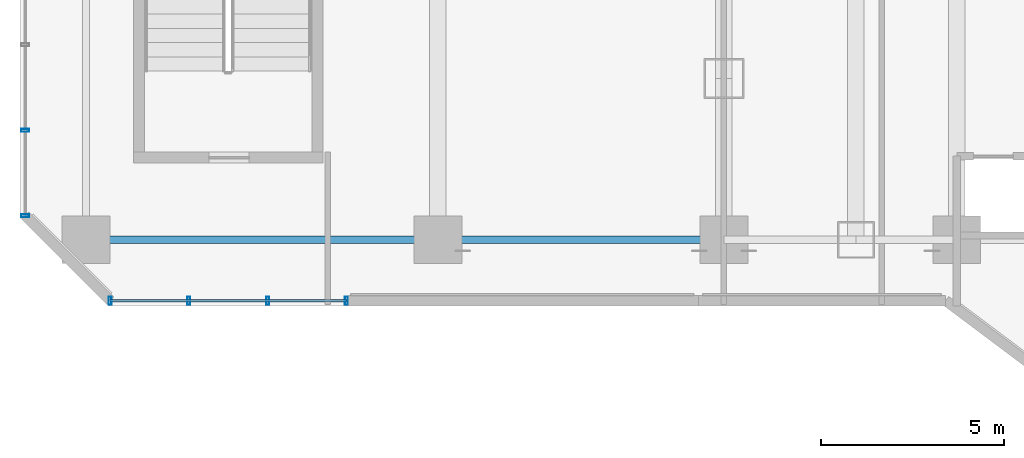
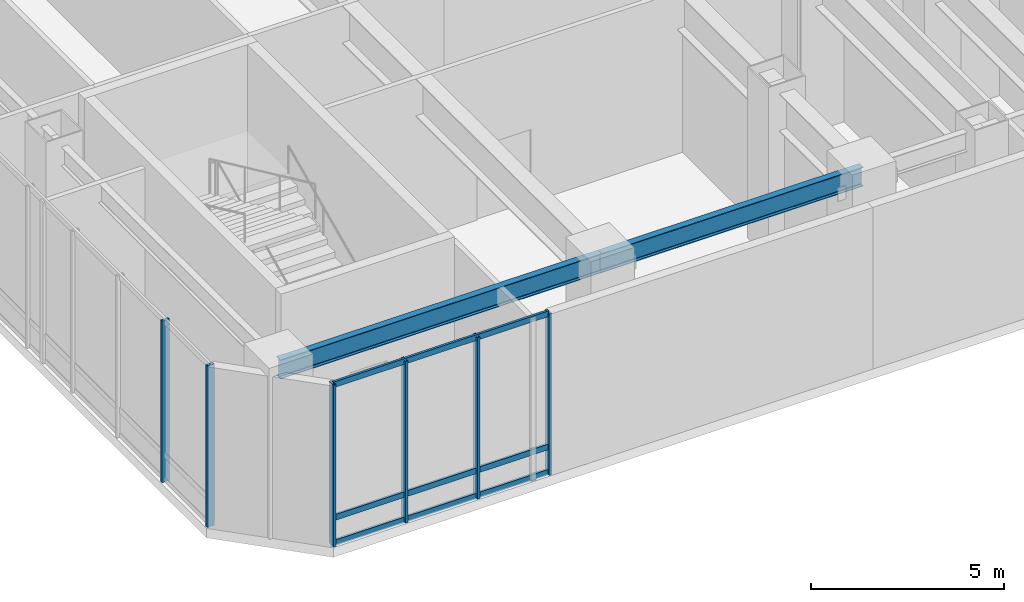
# One storey, part 2 of 35: 9 members, 2 beams, 2 elements without a shape of their own.
"""IFC4 building model written with IfcOpenShell, lengths in metres."""

import ifcopenshell
import ifcopenshell.guid

model = None  # the IFC model being written
_history = None  # IfcOwnerHistory: only IFC2X3 demands one
_inside = {}  # id of a spatial element -> (the spatial element, [elements in it])
_under = {}  # id of a project, library or spatial element -> (it, [spatial elements below it])
_declared = {}  # id of a project -> (the project, [libraries it declares])
_typed = {}  # id of a type object -> (the type object, [elements of that type])
_made_of = {}  # id of a material, layer set ... -> (it, [elements and type objects made of it])


def new_model(schema):
    """Start an empty IFC model of exactly this schema.

    Asked for "IFC4X3", IfcOpenShell would pick the latest addendum, in which some entities
    have other attributes; the version numbers below select the first issue.
    IFC2X3 requires an IfcOwnerHistory on every rooted entity: one is made here for all.
    """
    global model, _history
    if schema == "IFC4X3":
        model = ifcopenshell.file(schema_version=(4, 3, 0, 0))
    else:
        model = ifcopenshell.file(schema=schema)
    _inside.clear()
    _under.clear()
    _declared.clear()
    _typed.clear()
    _made_of.clear()
    _history = None
    if model.schema == "IFC2X3":
        org = make("IfcOrganization", Name="unknown")
        user = make(
            "IfcPersonAndOrganization",
            ThePerson=make("IfcPerson", FamilyName="unknown"),
            TheOrganization=org,
        )
        app = make(
            "IfcApplication",
            ApplicationDeveloper=org,
            Version="unknown",
            ApplicationFullName="unknown",
            ApplicationIdentifier="unknown",
        )
        _history = make(
            "IfcOwnerHistory",
            OwningUser=user,
            OwningApplication=app,
            ChangeAction="ADDED",
            CreationDate=0,
        )
    return model


def make(cls, **values):
    """One entity of the class cls with the attributes given. An attribute that is None is left unset."""
    return model.create_entity(
        cls, **{name: value for name, value in values.items() if value is not None}
    )


def rooted(cls, **values):
    """An entity with a GlobalId (a new one), such as an element, a storey or a relation."""
    return make(cls, GlobalId=ifcopenshell.guid.new(), OwnerHistory=_history, **values)


def si_unit(unit_type, name, prefix=None):
    """IfcSIUnit, for example si_unit("LENGTHUNIT", "METRE", prefix="MILLI")."""
    return make("IfcSIUnit", UnitType=unit_type, Prefix=prefix, Name=name)


def assignment(units):
    """IfcUnitAssignment: the units of a project."""
    return None if units is None else make("IfcUnitAssignment", Units=units)


def point(xyz):
    """IfcCartesianPoint."""
    return None if xyz is None else make("IfcCartesianPoint", Coordinates=xyz)


def direction(xyz):
    """IfcDirection."""
    return None if xyz is None else make("IfcDirection", DirectionRatios=xyz)


def frame(location, z_axis=None, x_axis=None):
    """IfcAxis2Placement3D, a coordinate frame: its origin and axes. An axis left out is left unset."""
    return make(
        "IfcAxis2Placement3D",
        Location=point(location),
        Axis=direction(z_axis),
        RefDirection=direction(x_axis),
    )


def frame_2d(location, x_axis=None):
    """IfcAxis2Placement2D, a coordinate frame in the plane: its origin and x axis."""
    return make(
        "IfcAxis2Placement2D", Location=point(location), RefDirection=direction(x_axis)
    )


def origin():
    """The frame at (0, 0, 0) with its axes left unset."""
    return frame((0.0, 0.0, 0.0))


def origin_2d():
    """The frame at (0, 0) in the plane with its x axis left unset."""
    return frame_2d((0.0, 0.0))


def place(relative_to, where):
    """IfcLocalPlacement: puts the frame where relative to a parent placement (None: the world)."""
    return make(
        "IfcLocalPlacement", PlacementRelTo=relative_to, RelativePlacement=where
    )


def context(
    kind, dimensions, precision=None, world=None, true_north=None, identifier=None
):
    """IfcGeometricRepresentationContext, for example the 3D "Model" context."""
    return make(
        "IfcGeometricRepresentationContext",
        ContextIdentifier=identifier,
        ContextType=kind,
        CoordinateSpaceDimension=dimensions,
        Precision=precision,
        WorldCoordinateSystem=world,
        TrueNorth=true_north,
    )


def subcontext(parent, identifier, kind, view, scale=None):
    """IfcGeometricRepresentationSubContext, for example "Body" below "Model"."""
    return make(
        "IfcGeometricRepresentationSubContext",
        ContextIdentifier=identifier,
        ContextType=kind,
        ParentContext=parent,
        TargetScale=scale,
        TargetView=view,
    )


def project(units=None, contexts=None):
    """IfcProject with its units and contexts."""
    return rooted(
        "IfcProject",
        Name="project",
        RepresentationContexts=contexts,
        UnitsInContext=assignment(units),
    )


def spatial(cls, under=None, at=None, **own):
    """A site, building, storey or space (cls), placed at a placement, below another one or the project."""
    s = rooted(cls, ObjectPlacement=at, **own)
    if under is not None:
        _under.setdefault(under.id(), (under, []))[1].append(s)
    return s


def profile(cls, at=None, kind="AREA", **sizes):
    """A parametric profile (cls). Its sizes go by their IFC names, for example OverallWidth=200.0."""
    return make(cls, ProfileType=kind, Position=at, **sizes)


def hollow_rectangle(**sizes):
    """IfcRectangleHollowProfileDef."""
    return profile("IfcRectangleHollowProfileDef", **sizes)


def i_section(**sizes):
    """IfcIShapeProfileDef."""
    return profile("IfcIShapeProfileDef", **sizes)


def extrude(swept, where, along, depth):
    """IfcExtrudedAreaSolid: the profile swept, set in the frame where, extruded along a direction by depth."""
    return make(
        "IfcExtrudedAreaSolid",
        SweptArea=swept,
        Position=where,
        ExtrudedDirection=direction(along),
        Depth=depth,
    )


def shape(context_of_items, identifier, shape_type, items):
    """IfcShapeRepresentation: the items that make up one representation, for example the "Body"."""
    return make(
        "IfcShapeRepresentation",
        ContextOfItems=context_of_items,
        RepresentationIdentifier=identifier,
        RepresentationType=shape_type,
        Items=items,
    )


def material(Name=None, Category=None):
    """IfcMaterial."""
    return make("IfcMaterial", Name=Name, Category=Category)


def layer(
    of_material, thickness, ventilated=None, Name=None, Category=None, Priority=None
):
    """IfcMaterialLayer: one layer of a wall or slab, of a material (None: an air gap)."""
    return make(
        "IfcMaterialLayer",
        Material=of_material,
        LayerThickness=thickness,
        IsVentilated=ventilated,
        Name=Name,
        Category=Category,
        Priority=Priority,
    )


def layer_set(layers, Name=None):
    """IfcMaterialLayerSet."""
    return make("IfcMaterialLayerSet", MaterialLayers=layers, LayerSetName=Name)


def material_profile(
    of_material, cross_section, Name=None, Category=None, Priority=None
):
    """IfcMaterialProfile: a cross section and its material."""
    return make(
        "IfcMaterialProfile",
        Name=Name,
        Material=of_material,
        Profile=cross_section,
        Priority=Priority,
        Category=Category,
    )


def profile_set(profiles, Name=None, composite=None):
    """IfcMaterialProfileSet."""
    return make(
        "IfcMaterialProfileSet",
        Name=Name,
        MaterialProfiles=profiles,
        CompositeProfile=composite,
    )


def made_of(thing, what):
    """Note that an element or type object is made of a material, layer set ...; save() writes the relation."""
    if what is not None:
        _made_of.setdefault(what.id(), (what, []))[1].append(thing)
    return thing


def type_object(cls, material=None, **own):
    """A type object (cls), such as IfcWallType, which elements share."""
    return made_of(rooted(cls, **own), material)


def element(
    cls,
    number,
    at=None,
    inside=None,
    cuts=None,
    type_object=None,
    material=None,
    context=None,
    identifier="Body",
    shape_type=None,
    held_by="IfcProductDefinitionShape",
    body=None,
    shapes=None,
    **own,
):
    """One element of the class cls, such as IfcWall. Its Tag is "e" and its number.

    at: its placement. inside: the storey or other place that contains it. cuts: it is an
    opening in that element (IfcRelVoidsElement). A single representation is given by context,
    identifier, shape_type and body (its items); several are given by shapes. held_by: the class
    of the entity that holds the representations. save() writes the other relations.
    """
    e = rooted(cls, Tag="e%d" % number, ObjectPlacement=at, **own)
    if body is not None:
        shapes = [shape(context, identifier, shape_type, body)]
    if shapes is not None:
        e.Representation = make(held_by, Representations=shapes)
    if inside is not None:
        _inside.setdefault(inside.id(), (inside, []))[1].append(e)
    if cuts is not None:
        rooted(
            "IfcRelVoidsElement", RelatingBuildingElement=cuts, RelatedOpeningElement=e
        )
    if type_object is not None:
        _typed.setdefault(type_object.id(), (type_object, []))[1].append(e)
    return made_of(e, material)


def aggregate(whole, parts):
    """IfcRelAggregates: a whole, such as a stair, and the parts it consists of."""
    return rooted("IfcRelAggregates", RelatingObject=whole, RelatedObjects=parts)


def save(model, path):
    """Write the relations noted so far, then the file.

    IfcRelAggregates (storeys below a building ...), IfcRelContainedInSpatialStructure (elements
    in a storey), IfcRelDefinesByType, IfcRelAssociatesMaterial and IfcRelDeclares: one each for
    every whole, place, type object, material and project.
    """
    for whole, parts in _under.values():
        aggregate(whole, parts)
    for where, things in _inside.values():
        rooted(
            "IfcRelContainedInSpatialStructure",
            RelatedElements=things,
            RelatingStructure=where,
        )
    for kind, things in _typed.values():
        rooted("IfcRelDefinesByType", RelatedObjects=things, RelatingType=kind)
    for what, things in _made_of.values():
        rooted("IfcRelAssociatesMaterial", RelatedObjects=things, RelatingMaterial=what)
    for by, libraries in _declared.values():
        rooted("IfcRelDeclares", RelatingContext=by, RelatedDefinitions=libraries)
    model.write(path)


model = new_model("IFC4")

# Units and contexts
model_context = context("Model", 3, precision=1e-05, world=origin(), true_north=direction((0.0, 1.0)))
body_context = subcontext(model_context, "Body", "Model", "MODEL_VIEW")
ifc_project = project(units=[si_unit("LENGTHUNIT", "METRE"), si_unit("AREAUNIT", "SQUARE_METRE"), si_unit("VOLUMEUNIT", "CUBIC_METRE"), si_unit("PLANEANGLEUNIT", "RADIAN"), si_unit("MASSUNIT", "GRAM", prefix="KILO")], contexts=[model_context])

# Site, building, storey
site_placement = place(None, origin())
site = spatial("IfcSite", under=ifc_project, at=site_placement, CompositionType="ELEMENT")
building_placement = place(site_placement, origin())
building = spatial("IfcBuilding", under=site, at=building_placement, Name="Hatsunagi Terrace Concourse", CompositionType="ELEMENT")
storey_placement = place(building_placement, frame((0.0, 0.0, 16.199951171875)))
storey = spatial("IfcBuildingStorey", under=building, at=storey_placement, Name="L04", CompositionType="ELEMENT", Elevation=16.199951171875)

# Curtain wall, members
ifc_material_1 = material(Name="Anodised Aluminium Alloy 6063-T5", Category="aluminium")
ifc_layer = layer(ifc_material_1, 0.199951171875)
ifc_layer_set = layer_set([ifc_layer], Name="PodiumStorefront_CW01")
curtain_wall_type = type_object("IfcCurtainWallType", Name="PodiumStorefront_CW01", PredefinedType="NOTDEFINED", material=ifc_layer_set)
curtain_wall_1_placement = place(storey_placement, origin())
curtain_wall_1 = element("IfcCurtainWall", 1, at=curtain_wall_1_placement, inside=storey, type_object=curtain_wall_type, Name="Unitised Curtain Wall CW-01 CW-L04-08", PredefinedType="NOTDEFINED")
ifc_material_2 = material(Name="Anodised Aluminium Alloy 6063-T5", Category="aluminium")
ifc_material_profile_1 = material_profile(ifc_material_2, hollow_rectangle(XDim=0.080078125, YDim=0.219970703125, WallThickness=0.0048828125, at=origin_2d()), Name="ALU-MUL-220x80x5")
ifc_profile_set_1 = profile_set([ifc_material_profile_1], Name="Anodised Aluminium Alloy 6063-T5")
member_type_1 = type_object("IfcMemberType", Name="CurtainWallMullion_Heavy_220x80", PredefinedType="MULLION", material=ifc_profile_set_1)
member_1_placement = place(storey_placement, frame((8.89990234375, 23.5400390625, 0.0), z_axis=(0.0, 0.0, 1.0), x_axis=(-1.0, 0.0, 0.0)))
member_1 = element("IfcMember", 2, at=member_1_placement, type_object=member_type_1, Name="Curtain Wall Mullion MUL-01", PredefinedType="MULLION", context=body_context, shape_type="SweptSolid", body=[
    extrude(hollow_rectangle(XDim=0.080078125, YDim=0.219970703125, WallThickness=0.0048828125, at=origin_2d()), origin(), (0.0, 0.0, 1.0), 5.10009765625),
])
member_2_placement = place(storey_placement, frame((6.7529296875, 23.5400390625, 0.0), z_axis=(0.0, 0.0, 1.0), x_axis=(-1.0, 0.0, 0.0)))
member_2 = element("IfcMember", 3, at=member_2_placement, type_object=member_type_1, Name="Curtain Wall Mullion MUL-01", PredefinedType="MULLION", context=body_context, shape_type="SweptSolid", body=[
    extrude(hollow_rectangle(XDim=0.080078125, YDim=0.219970703125, WallThickness=0.0048828125, at=origin_2d()), origin(), (0.0, 0.0, 1.0), 5.10009765625),
])
member_3_placement = place(storey_placement, frame((4.60498046875, 23.5400390625, 0.0), z_axis=(0.0, 0.0, 1.0), x_axis=(-1.0, 0.0, 0.0)))
member_3 = element("IfcMember", 4, at=member_3_placement, type_object=member_type_1, Name="Curtain Wall Mullion MUL-01", PredefinedType="MULLION", context=body_context, shape_type="SweptSolid", body=[
    extrude(hollow_rectangle(XDim=0.080078125, YDim=0.219970703125, WallThickness=0.0048828125, at=origin_2d()), origin(), (0.0, 0.0, 1.0), 5.10009765625),
])
member_4_placement = place(storey_placement, frame((2.4580078125, 23.5400390625, 0.0), z_axis=(0.0, 0.0, 1.0), x_axis=(-1.0, 0.0, 0.0)))
member_4 = element("IfcMember", 5, at=member_4_placement, type_object=member_type_1, Name="Curtain Wall Mullion MUL-01", PredefinedType="MULLION", context=body_context, shape_type="SweptSolid", body=[
    extrude(hollow_rectangle(XDim=0.080078125, YDim=0.219970703125, WallThickness=0.0048828125, at=origin_2d()), origin(), (0.0, 0.0, 1.0), 5.10009765625),
])

curtain_wall_2_placement = place(storey_placement, origin())
curtain_wall_2 = element("IfcCurtainWall", 6, at=curtain_wall_2_placement, inside=storey, type_object=curtain_wall_type, Name="Unitised Curtain Wall CW-01 CW-L04-10", PredefinedType="NOTDEFINED")
member_5_placement = place(storey_placement, frame((0.139892578125, 25.85791015625, 0.0), z_axis=(0.0, 0.0, 1.0), x_axis=(0.0, 1.0, 0.0)))
member_5 = element("IfcMember", 7, at=member_5_placement, type_object=member_type_1, Name="Curtain Wall Mullion MUL-01", PredefinedType="MULLION", context=body_context, shape_type="SweptSolid", body=[
    extrude(hollow_rectangle(XDim=0.080078125, YDim=0.219970703125, WallThickness=0.0048828125, at=origin_2d()), origin(), (0.0, 0.0, 1.0), 5.10009765625),
])
member_6_placement = place(storey_placement, frame((0.139892578125, 28.18603515625, 0.0), z_axis=(0.0, 0.0, 1.0), x_axis=(0.0, 1.0, 0.0)))
member_6 = element("IfcMember", 8, at=member_6_placement, type_object=member_type_1, Name="Curtain Wall Mullion MUL-01", PredefinedType="MULLION", context=body_context, shape_type="SweptSolid", body=[
    extrude(hollow_rectangle(XDim=0.080078125, YDim=0.219970703125, WallThickness=0.0048828125, at=origin_2d()), origin(), (0.0, 0.0, 1.0), 5.10009765625),
])
aggregate(curtain_wall_2, [member_5, member_6])

# Member
ifc_material_3 = material(Name="Anodised Aluminium Alloy 6063-T5", Category="aluminium")
ifc_material_profile_2 = material_profile(ifc_material_3, hollow_rectangle(XDim=0.070068359375, YDim=0.179931640625, WallThickness=0.00390625, at=origin_2d()), Name="ALU-TRN-180x70x4")
ifc_profile_set_2 = profile_set([ifc_material_profile_2], Name="Anodised Aluminium Alloy 6063-T5")
member_type_2 = type_object("IfcMemberType", Name="CurtainWallTransom_Heavy_180x70", PredefinedType="USERDEFINED", material=ifc_profile_set_2)
member_7_placement = place(storey_placement, frame((8.89990234375, 23.5400390625, 0.050048828125), z_axis=(-1.0, 0.0, 0.0), x_axis=(0.0, -1.0, 0.0)))
member_7 = element("IfcMember", 9, at=member_7_placement, type_object=member_type_2, Name="Curtain Wall Transom TRN-01", ObjectType="TRANSOM", PredefinedType="USERDEFINED", context=body_context, shape_type="SweptSolid", body=[
    extrude(hollow_rectangle(XDim=0.070068359375, YDim=0.179931640625, WallThickness=0.00390625, at=origin_2d()), origin(), (0.0, 0.0, 1.0), 6.44189453125),
])

member_8_placement = place(storey_placement, frame((8.89990234375, 23.5400390625, 0.85009765625), z_axis=(-1.0, 0.0, 0.0), x_axis=(0.0, -1.0, 0.0)))
member_8 = element("IfcMember", 10, at=member_8_placement, type_object=member_type_2, Name="Curtain Wall Transom TRN-01", ObjectType="TRANSOM", PredefinedType="USERDEFINED", context=body_context, shape_type="SweptSolid", body=[
    extrude(hollow_rectangle(XDim=0.070068359375, YDim=0.179931640625, WallThickness=0.00390625, at=origin_2d()), origin(), (0.0, 0.0, 1.0), 6.44189453125),
])

member_9_placement = place(storey_placement, frame((8.89990234375, 23.5400390625, 5.050048828125), z_axis=(-1.0, 0.0, 0.0), x_axis=(0.0, -1.0, 0.0)))
member_9 = element("IfcMember", 11, at=member_9_placement, type_object=member_type_2, Name="Curtain Wall Transom TRN-01", ObjectType="TRANSOM", PredefinedType="USERDEFINED", context=body_context, shape_type="SweptSolid", body=[
    extrude(hollow_rectangle(XDim=0.070068359375, YDim=0.179931640625, WallThickness=0.00390625, at=origin_2d()), origin(), (0.0, 0.0, 1.0), 6.44189453125),
])

aggregate(curtain_wall_1, [member_1, member_2, member_3, member_4, member_7, member_8, member_9])

# Beams
ifc_material_4 = material(Name="Steel SN490B", Category="steel")
ifc_material_profile_3 = material_profile(ifc_material_4, i_section(OverallWidth=0.199951171875, OverallDepth=0.60009765625, WebThickness=0.010986328125, FlangeThickness=0.01708984375, FilletRadius=0.01806640625, at=origin_2d()), Name="H-600x200x11x17")
ifc_profile_set_3 = profile_set([ifc_material_profile_3], Name="Steel SN490B")
beam_type = type_object("IfcBeamType", Name="PerimeterSpandrel_H_600x200", PredefinedType="SPANDREL", material=ifc_profile_set_3)
beam_1_placement = place(storey_placement, frame((1.800048828125, 25.199951171875, 4.800048828125), z_axis=(1.0, 0.0, 0.0), x_axis=(0.0, 1.0, 0.0)))
element("IfcBeam", 12, at=beam_1_placement, inside=storey, type_object=beam_type, Name="Beam SP-01 BM-L04-WS-1", PredefinedType="SPANDREL", context=body_context, shape_type="SweptSolid", body=[
    extrude(i_section(OverallWidth=0.199951171875, OverallDepth=0.60009765625, WebThickness=0.010986328125, FlangeThickness=0.01708984375, FilletRadius=0.01806640625, at=origin_2d()), origin(), (0.0, 0.0, 1.0), 9.599853515625),
])
beam_2_placement = place(storey_placement, frame((11.39990234375, 25.199951171875, 4.800048828125), z_axis=(1.0, 0.0, 0.0), x_axis=(0.0, 1.0, 0.0)))
element("IfcBeam", 13, at=beam_2_placement, inside=storey, type_object=beam_type, Name="Beam SP-01 BM-L04-WS-11", PredefinedType="SPANDREL", context=body_context, shape_type="SweptSolid", body=[
    extrude(i_section(OverallWidth=0.199951171875, OverallDepth=0.60009765625, WebThickness=0.010986328125, FlangeThickness=0.01708984375, FilletRadius=0.01806640625, at=origin_2d()), origin(), (0.0, 0.0, 1.0), 7.800048828125),
])

save(model, "model.ifc")
